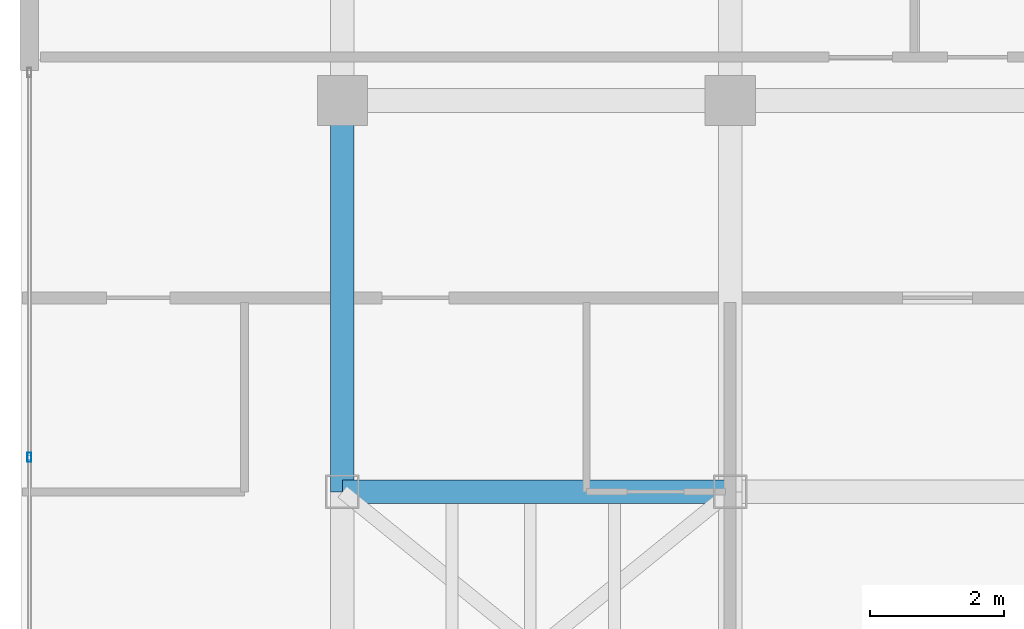
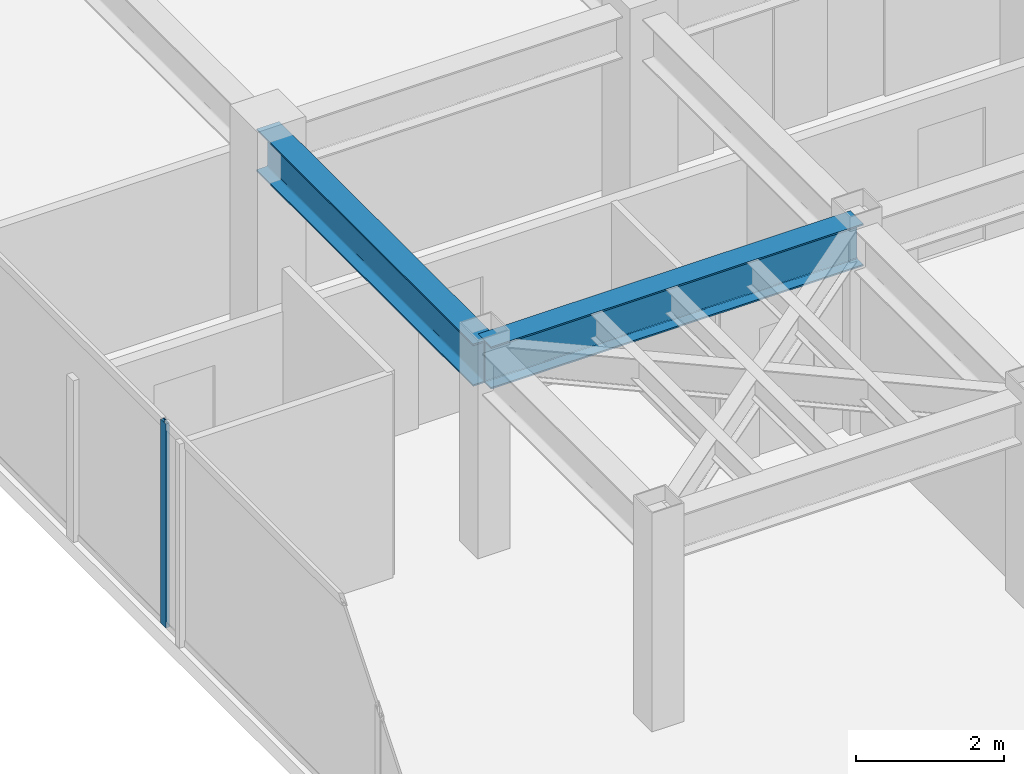
# One storey, part 4 of 19: 2 beams, 1 member, 1 element without a shape of its own.
"""IFC4 building model written with IfcOpenShell, lengths in metres."""

from ifc_helpers import new_model, si_unit, direction, frame, origin, origin_2d, place, context, subcontext, project, spatial, hollow_rectangle, i_section, extrude, material, layer, layer_set, material_profile, profile_set, type_object, element, aggregate, save


model = new_model("IFC4")

# Units and contexts
model_context = context("Model", 3, precision=1e-05, world=origin(), true_north=direction((0.0, 1.0)))
body_context = subcontext(model_context, "Body", "Model", "MODEL_VIEW")
ifc_project = project(units=[si_unit("LENGTHUNIT", "METRE"), si_unit("AREAUNIT", "SQUARE_METRE"), si_unit("VOLUMEUNIT", "CUBIC_METRE"), si_unit("PLANEANGLEUNIT", "RADIAN"), si_unit("MASSUNIT", "GRAM", prefix="KILO")], contexts=[model_context])

# Site, building, storey
site_placement = place(None, origin())
site = spatial("IfcSite", under=ifc_project, at=site_placement, CompositionType="ELEMENT")
building_placement = place(site_placement, origin())
building = spatial("IfcBuilding", under=site, at=building_placement, Name="Kravanh Interchange Tower", CompositionType="ELEMENT")
storey_placement = place(building_placement, frame((0.0, 0.0, 270.60009765625)))
storey = spatial("IfcBuildingStorey", under=building, at=storey_placement, Name="L66", CompositionType="ELEMENT", Elevation=270.60009765625)

# Curtain wall, member
ifc_material_1 = material(Name="Anodised Bronze Aluminium", Category="aluminium")
ifc_layer = layer(ifc_material_1, 0.179931640625)
ifc_layer_set = layer_set([ifc_layer], Name="Unitised Curtain Wall System CW-HTL Luxury Hotel")
curtain_wall_type = type_object("IfcCurtainWallType", Name="Unitised Curtain Wall System CW-HTL Luxury Hotel", PredefinedType="NOTDEFINED", material=ifc_layer_set)
curtain_wall_placement = place(storey_placement, origin())
curtain_wall = element("IfcCurtainWall", 1, at=curtain_wall_placement, inside=storey, type_object=curtain_wall_type, Name="L66 Unitised Curtain Wall CW-L66-01", PredefinedType="NOTDEFINED")
ifc_material_2 = material(Name="Anodised Bronze Aluminium", Category="aluminium")
ifc_material_profile_1 = material_profile(ifc_material_2, hollow_rectangle(XDim=0.06005859375, YDim=0.139892578125, WallThickness=0.00390625, at=origin_2d()), Name="ALU60X140X4")
ifc_profile_set_1 = profile_set([ifc_material_profile_1], Name="Anodised Bronze Aluminium")
member_type = type_object("IfcMemberType", Name="Curtain Wall Mullion ALU60X140X4 Bronze", PredefinedType="MULLION", material=ifc_profile_set_1)
member_placement = place(storey_placement, frame((28.1201171875, 32.0166015625, 0.0), z_axis=(0.0, 0.0, 1.0), x_axis=(-1.0, 0.0, 0.0)))
member = element("IfcMember", 2, at=member_placement, type_object=member_type, Name="CW-HTL mullion 3", PredefinedType="MULLION", context=body_context, shape_type="SweptSolid", body=[
    extrude(hollow_rectangle(XDim=0.06005859375, YDim=0.139892578125, WallThickness=0.00390625, at=origin_2d()), origin(), (0.0, 0.0, 1.0), 3.35986328125),
])
aggregate(curtain_wall, [member])

# Beams
ifc_material_3 = material(Name="Structural Steel S355", Category="steel")
ifc_material_profile_2 = material_profile(ifc_material_3, i_section(OverallWidth=0.35498046875, OverallDepth=0.696044921875, WebThickness=0.015380859375, FlangeThickness=0.02490234375, FilletRadius=0.02392578125, at=origin_2d()), Name="W27X146")
ifc_profile_set_2 = profile_set([ifc_material_profile_2], Name="Structural Steel S355")
beam_type = type_object("IfcBeamType", Name="Floor Beam W27X146 Structural Steel S355", PredefinedType="BEAM", material=ifc_profile_set_2)
beam_1_placement = place(storey_placement, frame((38.60009765625, 31.5, 3.011962890625), z_axis=(-1.0, 0.0, 0.0), x_axis=(0.0, -1.0, 0.0)))
element("IfcBeam", 3, at=beam_1_placement, inside=storey, type_object=beam_type, Name="L66 Primary Floor Girder 18", PredefinedType="BEAM", context=body_context, shape_type="SweptSolid", body=[
    extrude(i_section(OverallWidth=0.35498046875, OverallDepth=0.696044921875, WebThickness=0.015380859375, FlangeThickness=0.02490234375, FilletRadius=0.02392578125, at=origin_2d()), origin(), (0.0, 0.0, 1.0), 5.800048828125),
])
beam_2_placement = place(storey_placement, frame((32.800048828125, 31.5, 3.011962890625), z_axis=(0.0, 1.0, 0.0), x_axis=(-1.0, 0.0, 0.0)))
element("IfcBeam", 4, at=beam_2_placement, inside=storey, type_object=beam_type, Name="L66 Primary Floor Girder 22", PredefinedType="BEAM", context=body_context, shape_type="SweptSolid", body=[
    extrude(i_section(OverallWidth=0.35498046875, OverallDepth=0.696044921875, WebThickness=0.015380859375, FlangeThickness=0.02490234375, FilletRadius=0.02392578125, at=origin_2d()), origin(), (0.0, 0.0, 1.0), 5.85009765625),
])

save(model, "model.ifc")
